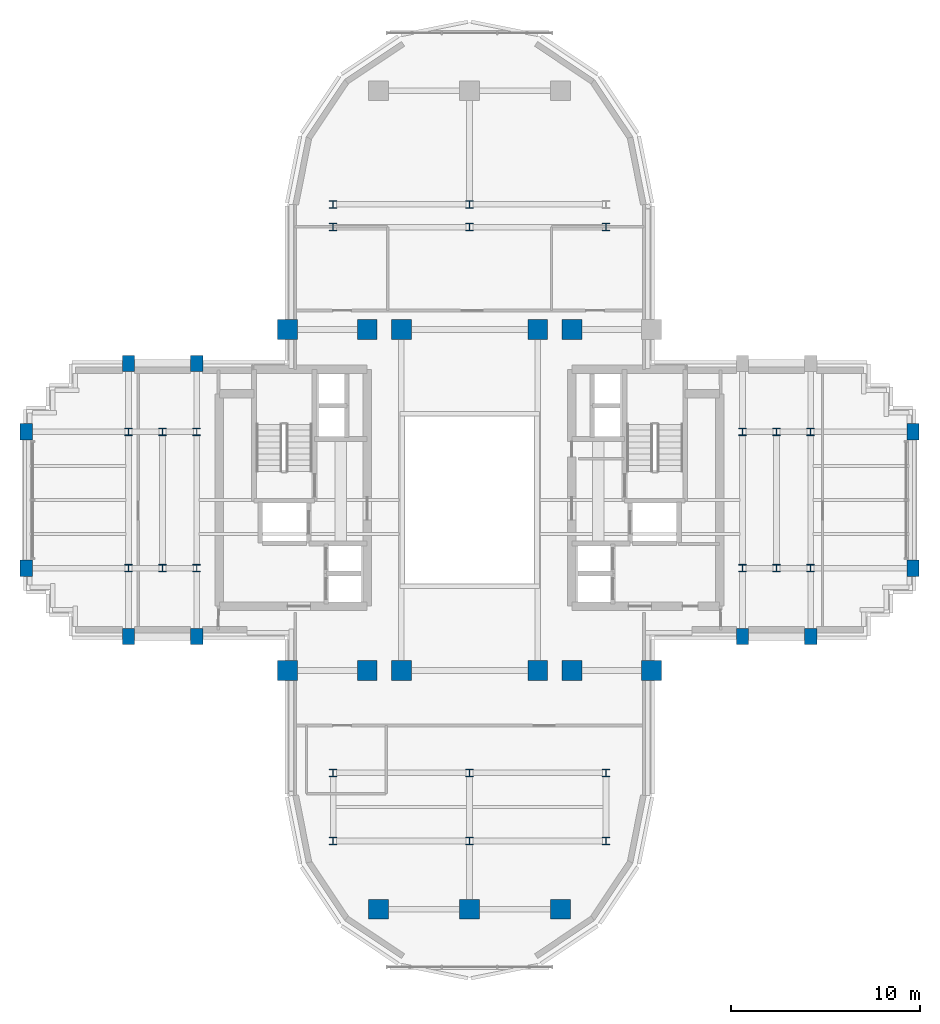
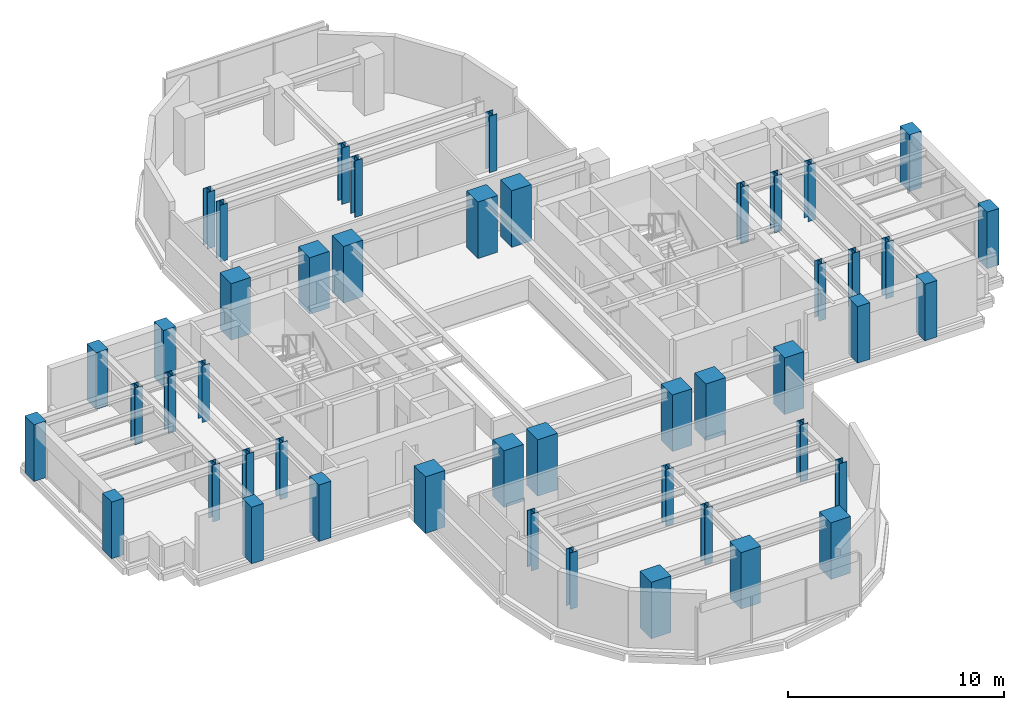
# One storey, part 1 of 13: 47 columns.
"""IFC4 building model written with IfcOpenShell, lengths in metres."""

import ifcopenshell
import ifcopenshell.guid

model = None  # the IFC model being written
_history = None  # IfcOwnerHistory: only IFC2X3 demands one
_inside = {}  # id of a spatial element -> (the spatial element, [elements in it])
_under = {}  # id of a project, library or spatial element -> (it, [spatial elements below it])
_declared = {}  # id of a project -> (the project, [libraries it declares])
_typed = {}  # id of a type object -> (the type object, [elements of that type])
_made_of = {}  # id of a material, layer set ... -> (it, [elements and type objects made of it])


def new_model(schema):
    """Start an empty IFC model of exactly this schema.

    Asked for "IFC4X3", IfcOpenShell would pick the latest addendum, in which some entities
    have other attributes; the version numbers below select the first issue.
    IFC2X3 requires an IfcOwnerHistory on every rooted entity: one is made here for all.
    """
    global model, _history
    if schema == "IFC4X3":
        model = ifcopenshell.file(schema_version=(4, 3, 0, 0))
    else:
        model = ifcopenshell.file(schema=schema)
    _inside.clear()
    _under.clear()
    _declared.clear()
    _typed.clear()
    _made_of.clear()
    _history = None
    if model.schema == "IFC2X3":
        org = make("IfcOrganization", Name="unknown")
        user = make(
            "IfcPersonAndOrganization",
            ThePerson=make("IfcPerson", FamilyName="unknown"),
            TheOrganization=org,
        )
        app = make(
            "IfcApplication",
            ApplicationDeveloper=org,
            Version="unknown",
            ApplicationFullName="unknown",
            ApplicationIdentifier="unknown",
        )
        _history = make(
            "IfcOwnerHistory",
            OwningUser=user,
            OwningApplication=app,
            ChangeAction="ADDED",
            CreationDate=0,
        )
    return model


def make(cls, **values):
    """One entity of the class cls with the attributes given. An attribute that is None is left unset."""
    return model.create_entity(
        cls, **{name: value for name, value in values.items() if value is not None}
    )


def rooted(cls, **values):
    """An entity with a GlobalId (a new one), such as an element, a storey or a relation."""
    return make(cls, GlobalId=ifcopenshell.guid.new(), OwnerHistory=_history, **values)


def si_unit(unit_type, name, prefix=None):
    """IfcSIUnit, for example si_unit("LENGTHUNIT", "METRE", prefix="MILLI")."""
    return make("IfcSIUnit", UnitType=unit_type, Prefix=prefix, Name=name)


def assignment(units):
    """IfcUnitAssignment: the units of a project."""
    return None if units is None else make("IfcUnitAssignment", Units=units)


def point(xyz):
    """IfcCartesianPoint."""
    return None if xyz is None else make("IfcCartesianPoint", Coordinates=xyz)


def direction(xyz):
    """IfcDirection."""
    return None if xyz is None else make("IfcDirection", DirectionRatios=xyz)


def frame(location, z_axis=None, x_axis=None):
    """IfcAxis2Placement3D, a coordinate frame: its origin and axes. An axis left out is left unset."""
    return make(
        "IfcAxis2Placement3D",
        Location=point(location),
        Axis=direction(z_axis),
        RefDirection=direction(x_axis),
    )


def frame_2d(location, x_axis=None):
    """IfcAxis2Placement2D, a coordinate frame in the plane: its origin and x axis."""
    return make(
        "IfcAxis2Placement2D", Location=point(location), RefDirection=direction(x_axis)
    )


def origin():
    """The frame at (0, 0, 0) with its axes left unset."""
    return frame((0.0, 0.0, 0.0))


def origin_2d():
    """The frame at (0, 0) in the plane with its x axis left unset."""
    return frame_2d((0.0, 0.0))


def place(relative_to, where):
    """IfcLocalPlacement: puts the frame where relative to a parent placement (None: the world)."""
    return make(
        "IfcLocalPlacement", PlacementRelTo=relative_to, RelativePlacement=where
    )


def context(
    kind, dimensions, precision=None, world=None, true_north=None, identifier=None
):
    """IfcGeometricRepresentationContext, for example the 3D "Model" context."""
    return make(
        "IfcGeometricRepresentationContext",
        ContextIdentifier=identifier,
        ContextType=kind,
        CoordinateSpaceDimension=dimensions,
        Precision=precision,
        WorldCoordinateSystem=world,
        TrueNorth=true_north,
    )


def subcontext(parent, identifier, kind, view, scale=None):
    """IfcGeometricRepresentationSubContext, for example "Body" below "Model"."""
    return make(
        "IfcGeometricRepresentationSubContext",
        ContextIdentifier=identifier,
        ContextType=kind,
        ParentContext=parent,
        TargetScale=scale,
        TargetView=view,
    )


def project(units=None, contexts=None):
    """IfcProject with its units and contexts."""
    return rooted(
        "IfcProject",
        Name="project",
        RepresentationContexts=contexts,
        UnitsInContext=assignment(units),
    )


def spatial(cls, under=None, at=None, **own):
    """A site, building, storey or space (cls), placed at a placement, below another one or the project."""
    s = rooted(cls, ObjectPlacement=at, **own)
    if under is not None:
        _under.setdefault(under.id(), (under, []))[1].append(s)
    return s


def profile(cls, at=None, kind="AREA", **sizes):
    """A parametric profile (cls). Its sizes go by their IFC names, for example OverallWidth=200.0."""
    return make(cls, ProfileType=kind, Position=at, **sizes)


def rectangle(**sizes):
    """IfcRectangleProfileDef."""
    return profile("IfcRectangleProfileDef", **sizes)


def i_section(**sizes):
    """IfcIShapeProfileDef."""
    return profile("IfcIShapeProfileDef", **sizes)


def extrude(swept, where, along, depth):
    """IfcExtrudedAreaSolid: the profile swept, set in the frame where, extruded along a direction by depth."""
    return make(
        "IfcExtrudedAreaSolid",
        SweptArea=swept,
        Position=where,
        ExtrudedDirection=direction(along),
        Depth=depth,
    )


def shape(context_of_items, identifier, shape_type, items):
    """IfcShapeRepresentation: the items that make up one representation, for example the "Body"."""
    return make(
        "IfcShapeRepresentation",
        ContextOfItems=context_of_items,
        RepresentationIdentifier=identifier,
        RepresentationType=shape_type,
        Items=items,
    )


def source(mapping_origin, context_of_items, identifier, shape_type, items):
    """IfcRepresentationMap: a shape defined once, which mapped items show again and again."""
    return make(
        "IfcRepresentationMap",
        MappingOrigin=mapping_origin,
        MappedRepresentation=shape(context_of_items, identifier, shape_type, items),
    )


def transform(
    local_origin,
    x_axis=None,
    y_axis=None,
    z_axis=None,
    scale=None,
    scale2=None,
    scale3=None,
    uniform=True,
):
    """IfcCartesianTransformationOperator3D, or its non-uniform kind. x_axis, y_axis, z_axis: its Axis1, 2, 3."""
    if uniform:
        return make(
            "IfcCartesianTransformationOperator3D",
            Axis1=direction(x_axis),
            Axis2=direction(y_axis),
            LocalOrigin=point(local_origin),
            Scale=scale,
            Axis3=direction(z_axis),
        )
    return make(
        "IfcCartesianTransformationOperator3DnonUniform",
        Axis1=direction(x_axis),
        Axis2=direction(y_axis),
        LocalOrigin=point(local_origin),
        Scale=scale,
        Axis3=direction(z_axis),
        Scale2=scale2,
        Scale3=scale3,
    )


def mapped(mapping_source, mapping_target):
    """IfcMappedItem: shows the shape of a source again, moved by a transform."""
    return make(
        "IfcMappedItem", MappingSource=mapping_source, MappingTarget=mapping_target
    )


def material(Name=None, Category=None):
    """IfcMaterial."""
    return make("IfcMaterial", Name=Name, Category=Category)


def material_profile(
    of_material, cross_section, Name=None, Category=None, Priority=None
):
    """IfcMaterialProfile: a cross section and its material."""
    return make(
        "IfcMaterialProfile",
        Name=Name,
        Material=of_material,
        Profile=cross_section,
        Priority=Priority,
        Category=Category,
    )


def profile_set(profiles, Name=None, composite=None):
    """IfcMaterialProfileSet."""
    return make(
        "IfcMaterialProfileSet",
        Name=Name,
        MaterialProfiles=profiles,
        CompositeProfile=composite,
    )


def made_of(thing, what):
    """Note that an element or type object is made of a material, layer set ...; save() writes the relation."""
    if what is not None:
        _made_of.setdefault(what.id(), (what, []))[1].append(thing)
    return thing


def type_object(cls, material=None, **own):
    """A type object (cls), such as IfcWallType, which elements share."""
    return made_of(rooted(cls, **own), material)


def element(
    cls,
    number,
    at=None,
    inside=None,
    cuts=None,
    type_object=None,
    material=None,
    context=None,
    identifier="Body",
    shape_type=None,
    held_by="IfcProductDefinitionShape",
    body=None,
    shapes=None,
    **own,
):
    """One element of the class cls, such as IfcWall. Its Tag is "e" and its number.

    at: its placement. inside: the storey or other place that contains it. cuts: it is an
    opening in that element (IfcRelVoidsElement). A single representation is given by context,
    identifier, shape_type and body (its items); several are given by shapes. held_by: the class
    of the entity that holds the representations. save() writes the other relations.
    """
    e = rooted(cls, Tag="e%d" % number, ObjectPlacement=at, **own)
    if body is not None:
        shapes = [shape(context, identifier, shape_type, body)]
    if shapes is not None:
        e.Representation = make(held_by, Representations=shapes)
    if inside is not None:
        _inside.setdefault(inside.id(), (inside, []))[1].append(e)
    if cuts is not None:
        rooted(
            "IfcRelVoidsElement", RelatingBuildingElement=cuts, RelatedOpeningElement=e
        )
    if type_object is not None:
        _typed.setdefault(type_object.id(), (type_object, []))[1].append(e)
    return made_of(e, material)


def aggregate(whole, parts):
    """IfcRelAggregates: a whole, such as a stair, and the parts it consists of."""
    return rooted("IfcRelAggregates", RelatingObject=whole, RelatedObjects=parts)


def save(model, path):
    """Write the relations noted so far, then the file.

    IfcRelAggregates (storeys below a building ...), IfcRelContainedInSpatialStructure (elements
    in a storey), IfcRelDefinesByType, IfcRelAssociatesMaterial and IfcRelDeclares: one each for
    every whole, place, type object, material and project.
    """
    for whole, parts in _under.values():
        aggregate(whole, parts)
    for where, things in _inside.values():
        rooted(
            "IfcRelContainedInSpatialStructure",
            RelatedElements=things,
            RelatingStructure=where,
        )
    for kind, things in _typed.values():
        rooted("IfcRelDefinesByType", RelatedObjects=things, RelatingType=kind)
    for what, things in _made_of.values():
        rooted("IfcRelAssociatesMaterial", RelatedObjects=things, RelatingMaterial=what)
    for by, libraries in _declared.values():
        rooted("IfcRelDeclares", RelatingContext=by, RelatedDefinitions=libraries)
    model.write(path)


model = new_model("IFC4")

# Units and contexts
model_context = context("Model", 3, precision=1e-05, world=origin(), true_north=direction((0.0, 1.0)))
body_context = subcontext(model_context, "Body", "Model", "MODEL_VIEW")
ifc_project = project(units=[si_unit("LENGTHUNIT", "METRE"), si_unit("AREAUNIT", "SQUARE_METRE"), si_unit("VOLUMEUNIT", "CUBIC_METRE"), si_unit("PLANEANGLEUNIT", "RADIAN"), si_unit("MASSUNIT", "GRAM", prefix="KILO")], contexts=[model_context])

# Site, building, storey
site_placement = place(None, origin())
site = spatial("IfcSite", under=ifc_project, at=site_placement, CompositionType="ELEMENT")
building_placement = place(site_placement, origin())
building = spatial("IfcBuilding", under=site, at=building_placement, Name="Keilestroom Media Tower", CompositionType="ELEMENT")
storey_placement = place(building_placement, frame((0.0, 0.0, 138.0)))
storey = spatial("IfcBuildingStorey", under=building, at=storey_placement, Name="L37", CompositionType="ELEMENT", Elevation=138.0)

# Columns
ifc_material_1 = material(Name="Precast concrete C40/50", Category="concrete")
ifc_material_profile_1 = material_profile(ifc_material_1, rectangle(XDim=0.64990234375, YDim=0.85009765625, at=origin_2d()), Name="PC 850x650")
ifc_profile_set_1 = profile_set([ifc_material_profile_1], Name="Precast concrete C40/50")
column_type_1 = type_object("IfcColumnType", Name="Structural-Column-PC-850x650", PredefinedType="COLUMN", material=ifc_profile_set_1)
shared_shape_1 = source(origin(), body_context, "Body", "SweptSolid", [
    extrude(rectangle(XDim=0.64990234375, YDim=0.85009765625, at=origin_2d()), origin(), (0.0, 0.0, 1.0), 3.199951171875),
])
for number, where, z_axis, x_axis, name in (
    (1, (-23.39990234375, -3.60009765625, 0.0), (0.0, 0.0, 1.0), (1.0, 0.0, 0.0), "L37 Column PC-2 (-23.4,-3.6)"),
    (2, (-23.39990234375, 3.60009765625, 0.0), (0.0, 0.0, 1.0), (1.0, 0.0, 0.0), "L37 Column PC-2 (-23.4,+3.6)"),
    (3, (-18.0, -7.199951171875, 0.0), (0.0, 0.0, 1.0), (1.0, 0.0, 0.0), "L37 Column PC-2 (-18.0,-7.2)"),
    (4, (-18.0, 7.199951171875, 0.0), (0.0, 0.0, 1.0), (1.0, 0.0, 0.0), "L37 Column PC-2 (-18.0,+7.2)"),
    (5, (-14.39990234375, -7.199951171875, 0.0), (0.0, 0.0, 1.0), (1.0, 0.0, 0.0), "L37 Column PC-2 (-14.4,-7.2)"),
    (6, (-14.39990234375, 7.199951171875, 0.0), (0.0, 0.0, 1.0), (1.0, 0.0, 0.0), "L37 Column PC-2 (-14.4,+7.2)"),
    (7, (14.39990234375, -7.199951171875, 0.0), (0.0, 0.0, 1.0), (1.0, 0.0, 0.0), "L37 Column PC-2 (+14.4,-7.2)"),
    (8, (18.0, -7.199951171875, 0.0), (0.0, 0.0, 1.0), (1.0, 0.0, 0.0), "L37 Column PC-2 (+18.0,-7.2)"),
    (9, (23.39990234375, -3.60009765625, 0.0), (0.0, 0.0, 1.0), (1.0, 0.0, 0.0), "L37 Column PC-2 (+23.4,-3.6)"),
    (10, (23.39990234375, 3.60009765625, 0.0), (0.0, 0.0, 1.0), (1.0, 0.0, 0.0), "L37 Column PC-2 (+23.4,+3.6)"),
):
    element("IfcColumn", number, at=place(storey_placement, frame(where, z_axis=z_axis, x_axis=x_axis)), inside=storey, type_object=column_type_1, Name=name, PredefinedType="COLUMN", context=body_context, shape_type="MappedRepresentation", body=[
        mapped(shared_shape_1, transform((0.0, 0.0, 0.0), x_axis=(1.0, 0.0, 0.0), y_axis=(0.0, 1.0, 0.0), z_axis=(0.0, 0.0, 1.0), scale=1.0)),
    ])
ifc_material_2 = material(Name="Steel S355", Category="steel")
ifc_material_profile_2 = material_profile(ifc_material_2, i_section(OverallWidth=0.40087890625, OverallDepth=0.39892578125, WebThickness=0.02001953125, FlangeThickness=0.031982421875, at=origin_2d()), Name="HD 400x314")
ifc_profile_set_2 = profile_set([ifc_material_profile_2], Name="Steel S355")
column_type_2 = type_object("IfcColumnType", Name="Structural-Column-HD-400x314", PredefinedType="COLUMN", material=ifc_profile_set_2)
shared_shape_2 = source(origin(), body_context, "Body", "SweptSolid", [
    extrude(i_section(OverallWidth=0.40087890625, OverallDepth=0.39892578125, WebThickness=0.02001953125, FlangeThickness=0.031982421875, at=origin_2d()), origin(), (0.0, 0.0, 1.0), 3.199951171875),
])
for number, where, z_axis, x_axis, name in (
    (11, (-18.0, -3.60009765625, 0.0), (0.0, 0.0, 1.0), (1.0, 0.0, 0.0), "L37 Column SC-3 (-18.0,-3.6)"),
    (12, (-18.0, 3.60009765625, 0.0), (0.0, 0.0, 1.0), (1.0, 0.0, 0.0), "L37 Column SC-3 (-18.0,+3.6)"),
    (13, (-16.199951171875, -3.60009765625, 0.0), (0.0, 0.0, 1.0), (1.0, 0.0, 0.0), "L37 Column SC-3 (-16.2,-3.6)"),
    (14, (-16.199951171875, 3.60009765625, 0.0), (0.0, 0.0, 1.0), (1.0, 0.0, 0.0), "L37 Column SC-3 (-16.2,+3.6)"),
    (15, (-14.39990234375, -3.60009765625, 0.0), (0.0, 0.0, 1.0), (1.0, 0.0, 0.0), "L37 Column SC-3 (-14.4,-3.6)"),
    (16, (-14.39990234375, 3.60009765625, 0.0), (0.0, 0.0, 1.0), (1.0, 0.0, 0.0), "L37 Column SC-3 (-14.4,+3.6)"),
    (17, (-7.199951171875, -18.0, 0.0), (0.0, 0.0, 1.0), (1.0, 0.0, 0.0), "L37 Column SC-3 (-7.2,-18.0)"),
    (18, (-7.199951171875, -14.39990234375, 0.0), (0.0, 0.0, 1.0), (1.0, 0.0, 0.0), "L37 Column SC-3 (-7.2,-14.4)"),
    (19, (-7.199951171875, 14.39990234375, 0.0), (0.0, 0.0, 1.0), (1.0, 0.0, 0.0), "L37 Column SC-3 (-7.2,+14.4)"),
    (20, (-7.199951171875, 15.60009765625, 0.0), (0.0, 0.0, 1.0), (1.0, 0.0, 0.0), "L37 Column SC-3 (-7.2,+15.6)"),
    (21, (0.0, -18.0, 0.0), (0.0, 0.0, 1.0), (1.0, 0.0, 0.0), "L37 Column SC-3 (+0.0,-18.0)"),
    (22, (0.0, -14.39990234375, 0.0), (0.0, 0.0, 1.0), (1.0, 0.0, 0.0), "L37 Column SC-3 (+0.0,-14.4)"),
    (23, (0.0, 14.39990234375, 0.0), (0.0, 0.0, 1.0), (1.0, 0.0, 0.0), "L37 Column SC-3 (+0.0,+14.4)"),
    (24, (0.0, 15.60009765625, 0.0), (0.0, 0.0, 1.0), (1.0, 0.0, 0.0), "L37 Column SC-3 (+0.0,+15.6)"),
    (25, (7.199951171875, -18.0, 0.0), (0.0, 0.0, 1.0), (1.0, 0.0, 0.0), "L37 Column SC-3 (+7.2,-18.0)"),
    (26, (7.199951171875, -14.39990234375, 0.0), (0.0, 0.0, 1.0), (1.0, 0.0, 0.0), "L37 Column SC-3 (+7.2,-14.4)"),
    (27, (7.199951171875, 14.39990234375, 0.0), (0.0, 0.0, 1.0), (1.0, 0.0, 0.0), "L37 Column SC-3 (+7.2,+14.4)"),
    (28, (14.39990234375, -3.60009765625, 0.0), (0.0, 0.0, 1.0), (1.0, 0.0, 0.0), "L37 Column SC-3 (+14.4,-3.6)"),
    (29, (14.39990234375, 3.60009765625, 0.0), (0.0, 0.0, 1.0), (1.0, 0.0, 0.0), "L37 Column SC-3 (+14.4,+3.6)"),
    (30, (16.199951171875, -3.60009765625, 0.0), (0.0, 0.0, 1.0), (1.0, 0.0, 0.0), "L37 Column SC-3 (+16.2,-3.6)"),
    (31, (16.199951171875, 3.60009765625, 0.0), (0.0, 0.0, 1.0), (1.0, 0.0, 0.0), "L37 Column SC-3 (+16.2,+3.6)"),
    (32, (18.0, -3.60009765625, 0.0), (0.0, 0.0, 1.0), (1.0, 0.0, 0.0), "L37 Column SC-3 (+18.0,-3.6)"),
    (33, (18.0, 3.60009765625, 0.0), (0.0, 0.0, 1.0), (1.0, 0.0, 0.0), "L37 Column SC-3 (+18.0,+3.6)"),
):
    element("IfcColumn", number, at=place(storey_placement, frame(where, z_axis=z_axis, x_axis=x_axis)), inside=storey, type_object=column_type_2, Name=name, PredefinedType="COLUMN", context=body_context, shape_type="MappedRepresentation", body=[
        mapped(shared_shape_2, transform((0.0, 0.0, 0.0), x_axis=(1.0, 0.0, 0.0), y_axis=(0.0, 1.0, 0.0), z_axis=(0.0, 0.0, 1.0), scale=1.0)),
    ])
ifc_material_3 = material(Name="Concrete C55/67", Category="concrete")
ifc_material_profile_3 = material_profile(ifc_material_3, rectangle(XDim=1.050048828125, YDim=1.050048828125, at=origin_2d()), Name="RC 1050x1050")
ifc_profile_set_3 = profile_set([ifc_material_profile_3], Name="Concrete C55/67")
column_type_3 = type_object("IfcColumnType", Name="Structural-Column-RC-1050x1050", PredefinedType="COLUMN", material=ifc_profile_set_3)
shared_shape_3 = source(origin(), body_context, "Body", "SweptSolid", [
    extrude(rectangle(XDim=1.050048828125, YDim=1.050048828125, at=origin_2d()), origin(), (0.0, 0.0, 1.0), 3.199951171875),
])
for number, where, z_axis, x_axis, name in (
    (34, (-9.60009765625, -9.0, 0.0), (0.0, 0.0, 1.0), (1.0, 0.0, 0.0), "L37 Column MC-3 (-9.6,-9.0)"),
    (35, (-9.60009765625, 9.0, 0.0), (0.0, 0.0, 1.0), (1.0, 0.0, 0.0), "L37 Column MC-3 (-9.6,+9.0)"),
    (36, (-5.39990234375, -9.0, 0.0), (0.0, 0.0, 1.0), (1.0, 0.0, 0.0), "L37 Column MC-3 (-5.4,-9.0)"),
    (37, (-5.39990234375, 9.0, 0.0), (0.0, 0.0, 1.0), (1.0, 0.0, 0.0), "L37 Column MC-3 (-5.4,+9.0)"),
    (38, (-4.800048828125, -21.60009765625, 0.0), (0.0, 0.0, 1.0), (1.0, 0.0, 0.0), "L37 Column MC-3 (-4.8,-21.6)"),
    (39, (-3.60009765625, -9.0, 0.0), (0.0, 0.0, 1.0), (1.0, 0.0, 0.0), "L37 Column MC-3 (-3.6,-9.0)"),
    (40, (-3.60009765625, 9.0, 0.0), (0.0, 0.0, 1.0), (1.0, 0.0, 0.0), "L37 Column MC-3 (-3.6,+9.0)"),
    (41, (0.0, -21.60009765625, 0.0), (0.0, 0.0, 1.0), (1.0, 0.0, 0.0), "L37 Column MC-3 (+0.0,-21.6)"),
    (42, (3.60009765625, -9.0, 0.0), (0.0, 0.0, 1.0), (1.0, 0.0, 0.0), "L37 Column MC-3 (+3.6,-9.0)"),
    (43, (3.60009765625, 9.0, 0.0), (0.0, 0.0, 1.0), (1.0, 0.0, 0.0), "L37 Column MC-3 (+3.6,+9.0)"),
    (44, (4.800048828125, -21.60009765625, 0.0), (0.0, 0.0, 1.0), (1.0, 0.0, 0.0), "L37 Column MC-3 (+4.8,-21.6)"),
    (45, (5.39990234375, -9.0, 0.0), (0.0, 0.0, 1.0), (1.0, 0.0, 0.0), "L37 Column MC-3 (+5.4,-9.0)"),
    (46, (5.39990234375, 9.0, 0.0), (0.0, 0.0, 1.0), (1.0, 0.0, 0.0), "L37 Column MC-3 (+5.4,+9.0)"),
    (47, (9.60009765625, -9.0, 0.0), (0.0, 0.0, 1.0), (1.0, 0.0, 0.0), "L37 Column MC-3 (+9.6,-9.0)"),
):
    element("IfcColumn", number, at=place(storey_placement, frame(where, z_axis=z_axis, x_axis=x_axis)), inside=storey, type_object=column_type_3, Name=name, PredefinedType="COLUMN", context=body_context, shape_type="MappedRepresentation", body=[
        mapped(shared_shape_3, transform((0.0, 0.0, 0.0), x_axis=(1.0, 0.0, 0.0), y_axis=(0.0, 1.0, 0.0), z_axis=(0.0, 0.0, 1.0), scale=1.0)),
    ])

save(model, "model.ifc")
